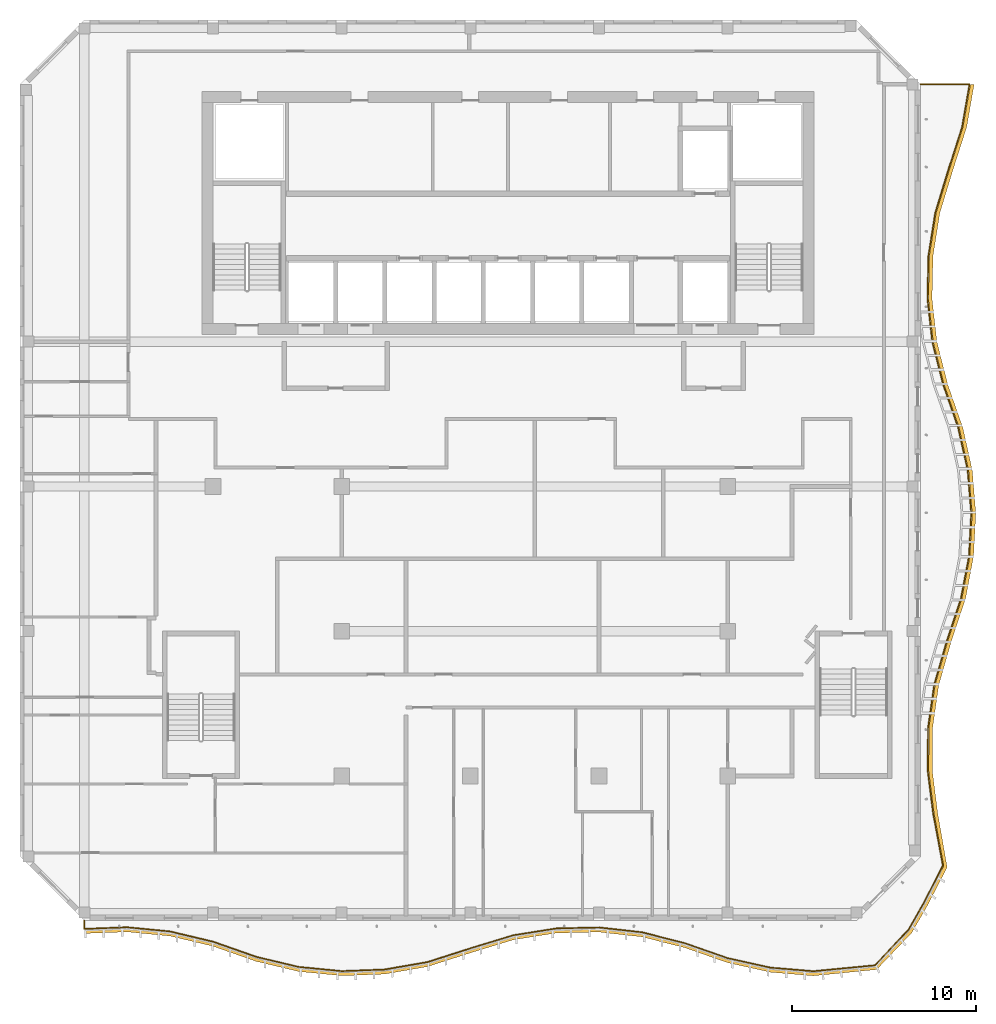
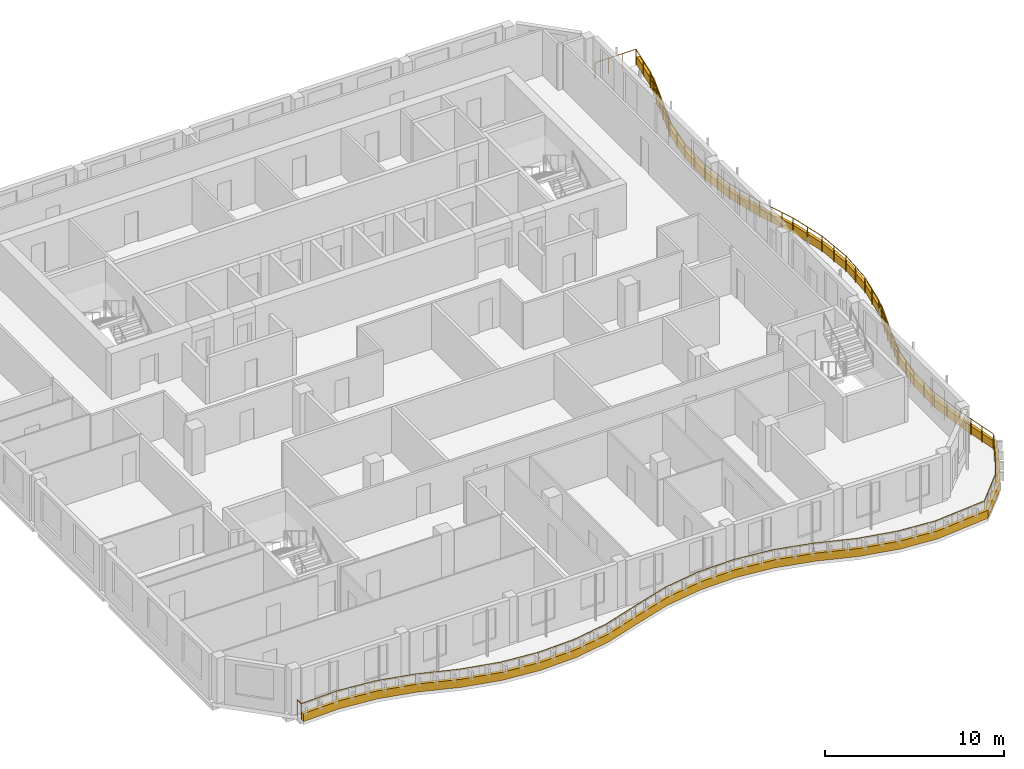
# One storey, part 14 of 18: 1 railing, 1 shading device.
"""IFC4 building model written with IfcOpenShell, lengths in metres."""

from ifc_helpers import new_model, si_unit, direction, frame, origin, origin_2d, place, context, subcontext, project, spatial, polyline, circle, outline, extrude, source, transform, mapped, material, layer, layer_set, type_object, element, save


model = new_model("IFC4")

# Units and contexts
model_context = context("Model", 3, precision=1e-05, world=origin(), true_north=direction((0.0, 1.0)))
body_context = subcontext(model_context, "Body", "Model", "MODEL_VIEW")
ifc_project = project(units=[si_unit("LENGTHUNIT", "METRE"), si_unit("AREAUNIT", "SQUARE_METRE"), si_unit("VOLUMEUNIT", "CUBIC_METRE"), si_unit("PLANEANGLEUNIT", "RADIAN"), si_unit("MASSUNIT", "GRAM", prefix="KILO")], contexts=[model_context])

# Site, building, storey
site_placement = place(None, origin())
site = spatial("IfcSite", under=ifc_project, at=site_placement, CompositionType="ELEMENT")
building_placement = place(site_placement, origin())
building = spatial("IfcBuilding", under=site, at=building_placement, Name="Kilnfold Tower and Market Hall", CompositionType="ELEMENT")
storey_placement = place(building_placement, frame((0.0, 0.0, 312.0)))
storey = spatial("IfcBuildingStorey", under=building, at=storey_placement, Name="L78", CompositionType="ELEMENT", Elevation=312.0)

# Railing
ifc_material_1 = material(Name="Stainless steel and laminated glass", Category="steel")
railing_type = type_object("IfcRailingType", Name="GUARD 1100", PredefinedType="GUARDRAIL", material=ifc_material_1)
railing_placement = place(storey_placement, frame((-22.0, -23.5, 0.0)))
element("IfcRailing", 1, at=railing_placement, inside=storey, type_object=railing_type, Name="Guard balcony L78", PredefinedType="GUARDRAIL", context=body_context, shape_type="SweptSolid", body=[
    extrude(circle(Radius=0.02490234375, at=origin_2d()), frame((0.0, 0.0, 1.0751953125), z_axis=(0.0, -1.0, 0.0), x_axis=(1.0, 0.0, 0.0)), (0.0, 0.0, 1.0), 0.44482421875),
    extrude(circle(Radius=0.02490234375, at=origin_2d()), frame((0.0, -0.44482421875, 1.0751953125), z_axis=(0.999303038081, 0.037328783572, 0.0), x_axis=(-0.037328783572, 0.999303038081, 0.0)), (0.0, 0.0, 1.0), 2.3349609375),
    extrude(circle(Radius=0.02490234375, at=origin_2d()), frame((2.333251953125, -0.357666015625, 1.0751953125), z_axis=(0.995289594459, -0.096946496384, 0.0), x_axis=(0.096946496384, 0.995289594459, 0.0)), (0.0, 0.0, 1.0), 2.344482421875),
    extrude(circle(Radius=0.02490234375, at=origin_2d()), frame((4.666748046875, -0.5849609375, 1.0751953125), z_axis=(0.972908793579, -0.231189271761, 0.0), x_axis=(0.231189271761, 0.972908793579, 0.0)), (0.0, 0.0, 1.0), 2.398193359375),
    extrude(circle(Radius=0.02490234375, at=origin_2d()), frame((7.0, -1.139404296875, 1.0751953125), z_axis=(0.943455967454, -0.331497869489, 0.0), x_axis=(0.331497869489, 0.943455967454, 0.0)), (0.0, 0.0, 1.0), 2.47314453125),
    extrude(circle(Radius=0.02490234375, at=origin_2d()), frame((9.333251953125, -1.959228515625, 1.0751953125), z_axis=(0.972845516139, -0.231455399006, 0.0), x_axis=(0.231455399006, 0.972845516139, 0.0)), (0.0, 0.0, 1.0), 2.398681640625),
    extrude(circle(Radius=0.02490234375, at=origin_2d()), frame((11.666748046875, -2.514404296875, 1.0751953125), z_axis=(0.995268495211, -0.097162865547, 0.0), x_axis=(0.097162865547, 0.995268495211, 0.0)), (0.0, 0.0, 1.0), 2.34423828125),
    extrude(circle(Radius=0.02490234375, at=origin_2d()), frame((14.0, -2.7421875, 1.0751953125), z_axis=(0.999310817255, 0.037119947695, 0.0), x_axis=(-0.037119947695, 0.999310817255, 0.0)), (0.0, 0.0, 1.0), 2.3349609375),
    extrude(circle(Radius=0.02490234375, at=origin_2d()), frame((16.333251953125, -2.655517578125, 1.0751953125), z_axis=(0.985233686596, 0.171215019192, 0.0), x_axis=(-0.171215019192, 0.985233686596, 0.0)), (0.0, 0.0, 1.0), 2.368408203125),
    extrude(circle(Radius=0.02490234375, at=origin_2d()), frame((18.666748046875, -2.25, 1.0751953125), z_axis=(0.95225740835, 0.305296295823, 0.0), x_axis=(-0.305296295823, 0.95225740835, 0.0)), (0.0, 0.0, 1.0), 2.4501953125),
    extrude(circle(Radius=0.02490234375, at=origin_2d()), frame((21.0, -1.501953125, 1.0751953125), z_axis=(0.956608396166, 0.29137669156, 0.0), x_axis=(-0.29137669156, 0.956608396166, 0.0)), (0.0, 0.0, 1.0), 2.439208984375),
    extrude(circle(Radius=0.02490234375, at=origin_2d()), frame((23.333251953125, -0.791259765625, 1.0751953125), z_axis=(0.987589778257, 0.157055499367, 0.0), x_axis=(-0.157055499367, 0.987589778257, 0.0)), (0.0, 0.0, 1.0), 2.36279296875),
    extrude(circle(Radius=0.02490234375, at=origin_2d()), frame((25.666748046875, -0.420166015625, 1.0751953125), z_axis=(0.999739941902, 0.022804573332, 0.0), x_axis=(-0.022804573332, 0.999739941902, 0.0)), (0.0, 0.0, 1.0), 2.333740234375),
    extrude(circle(Radius=0.02490234375, at=origin_2d()), frame((28.0, -0.366943359375, 1.0751953125), z_axis=(0.993767796015, -0.111470030065, 0.0), x_axis=(0.111470030065, 0.993767796015, 0.0)), (0.0, 0.0, 1.0), 2.347900390625),
    extrude(circle(Radius=0.02490234375, at=origin_2d()), frame((30.333251953125, -0.628662109375, 1.0751953125), z_axis=(0.969337830713, -0.245731906656, 0.0), x_axis=(0.245731906656, 0.969337830713, 0.0)), (0.0, 0.0, 1.0), 2.4072265625),
    extrude(circle(Radius=0.02490234375, at=origin_2d()), frame((32.666748046875, -1.22021484375, 1.0751953125), z_axis=(0.943979944569, -0.330002824611, 0.0), x_axis=(0.330002824611, 0.943979944569, 0.0)), (0.0, 0.0, 1.0), 2.4716796875),
    extrude(circle(Radius=0.02490234375, at=origin_2d()), frame((35.0, -2.035888671875, 1.0751953125), z_axis=(0.976182253207, -0.216952088083, 0.0), x_axis=(0.216952088083, 0.976182253207, 0.0)), (0.0, 0.0, 1.0), 2.39013671875),
    extrude(circle(Radius=0.02490234375, at=origin_2d()), frame((37.333251953125, -2.554443359375, 1.0751953125), z_axis=(0.996584479795, -0.082579504917, 0.0), x_axis=(0.082579504917, 0.996584479795, 0.0)), (0.0, 0.0, 1.0), 2.341552734375),
    extrude(circle(Radius=0.02490234375, at=origin_2d()), frame((39.666748046875, -2.747802734375, 1.0751953125), z_axis=(0.995422222904, 0.095575091676, 0.0), x_axis=(-0.095575091676, 0.995422222904, 0.0)), (0.0, 0.0, 1.0), 3.35400390625),
    extrude(circle(Radius=0.02490234375, at=origin_2d()), frame((43.00537109375, -2.42724609375, 1.0751953125), z_axis=(0.686126841928, 0.727481928838, 0.0), x_axis=(-0.727481928838, 0.686126841928, 0.0)), (0.0, 0.0, 1.0), 2.656494140625),
    extrude(circle(Radius=0.02490234375, at=origin_2d()), frame((44.828125, -0.49462890625, 1.0751953125), z_axis=(0.49818388275, 0.867071403616, 0.0), x_axis=(-0.867071403616, 0.49818388275, 0.0)), (0.0, 0.0, 1.0), 1.708740234375),
    extrude(circle(Radius=0.02490234375, at=origin_2d()), frame((45.679443359375, 0.987060546875, 1.0751953125), z_axis=(0.454844600621, 0.890570822162, 0.0), x_axis=(-0.890570822162, 0.454844600621, 0.0)), (0.0, 0.0, 1.0), 2.26025390625),
    extrude(circle(Radius=0.02490234375, at=origin_2d()), frame((46.70751953125, 3.0, 1.0751953125), z_axis=(-0.183966349119, 0.982932542137, 0.0), x_axis=(-0.982932542137, -0.183966349119, 0.0)), (0.0, 0.0, 1.0), 2.882568359375),
    extrude(circle(Radius=0.02490234375, at=origin_2d()), frame((46.17724609375, 5.833251953125, 1.0751953125), z_axis=(-0.126205998264, 0.992004055436, 0.0), x_axis=(-0.992004055436, -0.126205998264, 0.0)), (0.0, 0.0, 1.0), 2.352294921875),
    extrude(circle(Radius=0.02490234375, at=origin_2d()), frame((45.88037109375, 8.166748046875, 1.0751953125), z_axis=(0.007952034847, 0.999968382071, 0.0), x_axis=(-0.999968382071, 0.007952034847, 0.0)), (0.0, 0.0, 1.0), 2.333251953125),
    extrude(circle(Radius=0.02490234375, at=origin_2d()), frame((45.89892578125, 10.5, 1.0751953125), z_axis=(0.14230579139, 0.989822742584, 0.0), x_axis=(-0.989822742584, 0.14230579139, 0.0)), (0.0, 0.0, 1.0), 2.357177734375),
    extrude(circle(Radius=0.02490234375, at=origin_2d()), frame((46.234375, 12.833251953125, 1.0751953125), z_axis=(0.276592977758, 0.960987161545, 0.0), x_axis=(-0.960987161545, 0.276592977758, 0.0)), (0.0, 0.0, 1.0), 2.42822265625),
    extrude(circle(Radius=0.02490234375, at=origin_2d()), frame((46.906005859375, 15.166748046875, 1.0751953125), z_axis=(0.316614823647, 0.948554191097, 0.0), x_axis=(-0.948554191097, 0.316614823647, 0.0)), (0.0, 0.0, 1.0), 2.459716796875),
    extrude(circle(Radius=0.02490234375, at=origin_2d()), frame((47.684814453125, 17.5, 1.0751953125), z_axis=(0.186082127309, 0.982534193754, 0.0), x_axis=(-0.982534193754, 0.186082127309, 0.0)), (0.0, 0.0, 1.0), 2.374755859375),
    extrude(circle(Radius=0.02490234375, at=origin_2d()), frame((48.126708984375, 19.833251953125, 1.0751953125), z_axis=(0.051928171032, 0.998650822387, 0.0), x_axis=(-0.998650822387, 0.051928171032, 0.0)), (0.0, 0.0, 1.0), 2.336669921875),
    extrude(circle(Radius=0.02490234375, at=origin_2d()), frame((48.248046875, 22.166748046875, 1.0751953125), z_axis=(-0.082484518752, 0.99659234603, 0.0), x_axis=(-0.99659234603, -0.082484518752, 0.0)), (0.0, 0.0, 1.0), 2.34130859375),
    extrude(circle(Radius=0.02490234375, at=origin_2d()), frame((48.054931640625, 24.5, 1.0751953125), z_axis=(-0.216660052559, 0.976247110943, 0.0), x_axis=(-0.976247110943, -0.216660052559, 0.0)), (0.0, 0.0, 1.0), 2.39013671875),
    extrude(circle(Radius=0.02490234375, at=origin_2d()), frame((47.537109375, 26.833251953125, 1.0751953125), z_axis=(-0.329884042589, 0.944021460797, 0.0), x_axis=(-0.944021460797, -0.329884042589, 0.0)), (0.0, 0.0, 1.0), 2.471923828125),
    extrude(circle(Radius=0.02490234375, at=origin_2d()), frame((46.7216796875, 29.166748046875, 1.0751953125), z_axis=(-0.246041935802, 0.96925918403, 0.0), x_axis=(-0.96925918403, -0.246041935802, 0.0)), (0.0, 0.0, 1.0), 2.4072265625),
    extrude(circle(Radius=0.02490234375, at=origin_2d()), frame((46.12939453125, 31.5, 1.0751953125), z_axis=(-0.111675405291, 0.993744737774, 0.0), x_axis=(-0.993744737774, -0.111675405291, 0.0)), (0.0, 0.0, 1.0), 2.347900390625),
    extrude(circle(Radius=0.02490234375, at=origin_2d()), frame((45.8671875, 33.833251953125, 1.0751953125), z_axis=(0.022593101544, 0.999744743303, 0.0), x_axis=(-0.999744743303, 0.022593101544, 0.0)), (0.0, 0.0, 1.0), 2.333984375),
    extrude(circle(Radius=0.02490234375, at=origin_2d()), frame((45.919921875, 36.166748046875, 1.0751953125), z_axis=(0.15676914423, 0.98763527449, 0.0), x_axis=(-0.98763527449, 0.15676914423, 0.0)), (0.0, 0.0, 1.0), 2.362548828125),
    extrude(circle(Radius=0.02490234375, at=origin_2d()), frame((46.290283203125, 38.5, 1.0751953125), z_axis=(0.291101864674, 0.95669206351, 0.0), x_axis=(-0.95669206351, 0.291101864674, 0.0)), (0.0, 0.0, 1.0), 2.43896484375),
    extrude(circle(Radius=0.02490234375, at=origin_2d()), frame((47.000244140625, 40.833251953125, 1.0751953125), z_axis=(0.305448006527, 0.95220875616, 0.0), x_axis=(-0.95220875616, 0.305448006527, 0.0)), (0.0, 0.0, 1.0), 2.45068359375),
    extrude(circle(Radius=0.02490234375, at=origin_2d()), frame((47.748779296875, 43.166748046875, 1.0751953125), z_axis=(0.17163263585, 0.985161021514, 0.0), x_axis=(-0.985161021514, 0.17163263585, 0.0)), (0.0, 0.0, 1.0), 2.368408203125),
    extrude(circle(Radius=0.02490234375, at=origin_2d()), frame((48.1552734375, 45.5, 1.0751953125), z_axis=(-1.0, 0.0, 0.0), x_axis=(0.0, -1.0, 0.0)), (0.0, 0.0, 1.0), 2.6552734375),
    extrude(circle(Radius=0.02490234375, at=origin_2d()), origin(), (0.0, 0.0, 1.0), 1.050048828125),
    extrude(circle(Radius=0.02490234375, at=origin_2d()), frame((0.0, -0.44482421875, 0.0)), (0.0, 0.0, 1.0), 1.050048828125),
    extrude(circle(Radius=0.02490234375, at=origin_2d()), frame((1.16650390625, -0.4013671875, 0.0)), (0.0, 0.0, 1.0), 1.050048828125),
    extrude(circle(Radius=0.02490234375, at=origin_2d()), frame((2.333251953125, -0.357666015625, 0.0)), (0.0, 0.0, 1.0), 1.050048828125),
    extrude(circle(Radius=0.02490234375, at=origin_2d()), frame((3.5, -0.47119140625, 0.0)), (0.0, 0.0, 1.0), 1.050048828125),
    extrude(circle(Radius=0.02490234375, at=origin_2d()), frame((4.666748046875, -0.5849609375, 0.0)), (0.0, 0.0, 1.0), 1.050048828125),
    extrude(circle(Radius=0.02490234375, at=origin_2d()), frame((5.83349609375, -0.8623046875, 0.0)), (0.0, 0.0, 1.0), 1.050048828125),
    extrude(circle(Radius=0.02490234375, at=origin_2d()), frame((7.0, -1.139404296875, 0.0)), (0.0, 0.0, 1.0), 1.050048828125),
    extrude(circle(Radius=0.02490234375, at=origin_2d()), frame((7.77783203125, -1.41259765625, 0.0)), (0.0, 0.0, 1.0), 1.050048828125),
    extrude(circle(Radius=0.02490234375, at=origin_2d()), frame((8.555419921875, -1.68603515625, 0.0)), (0.0, 0.0, 1.0), 1.050048828125),
    extrude(circle(Radius=0.02490234375, at=origin_2d()), frame((9.333251953125, -1.959228515625, 0.0)), (0.0, 0.0, 1.0), 1.050048828125),
    extrude(circle(Radius=0.02490234375, at=origin_2d()), frame((10.5, -2.23681640625, 0.0)), (0.0, 0.0, 1.0), 1.050048828125),
    extrude(circle(Radius=0.02490234375, at=origin_2d()), frame((11.666748046875, -2.514404296875, 0.0)), (0.0, 0.0, 1.0), 1.050048828125),
    extrude(circle(Radius=0.02490234375, at=origin_2d()), frame((12.83349609375, -2.62841796875, 0.0)), (0.0, 0.0, 1.0), 1.050048828125),
    extrude(circle(Radius=0.02490234375, at=origin_2d()), frame((14.0, -2.7421875, 0.0)), (0.0, 0.0, 1.0), 1.050048828125),
    extrude(circle(Radius=0.02490234375, at=origin_2d()), frame((15.16650390625, -2.69873046875, 0.0)), (0.0, 0.0, 1.0), 1.050048828125),
    extrude(circle(Radius=0.02490234375, at=origin_2d()), frame((16.333251953125, -2.655517578125, 0.0)), (0.0, 0.0, 1.0), 1.050048828125),
    extrude(circle(Radius=0.02490234375, at=origin_2d()), frame((17.5, -2.45263671875, 0.0)), (0.0, 0.0, 1.0), 1.050048828125),
    extrude(circle(Radius=0.02490234375, at=origin_2d()), frame((18.666748046875, -2.25, 0.0)), (0.0, 0.0, 1.0), 1.050048828125),
    extrude(circle(Radius=0.02490234375, at=origin_2d()), frame((19.444580078125, -2.000732421875, 0.0)), (0.0, 0.0, 1.0), 1.050048828125),
    extrude(circle(Radius=0.02490234375, at=origin_2d()), frame((20.22216796875, -1.751220703125, 0.0)), (0.0, 0.0, 1.0), 1.050048828125),
    extrude(circle(Radius=0.02490234375, at=origin_2d()), frame((21.0, -1.501953125, 0.0)), (0.0, 0.0, 1.0), 1.050048828125),
    extrude(circle(Radius=0.02490234375, at=origin_2d()), frame((21.77783203125, -1.26513671875, 0.0)), (0.0, 0.0, 1.0), 1.050048828125),
    extrude(circle(Radius=0.02490234375, at=origin_2d()), frame((22.555419921875, -1.028076171875, 0.0)), (0.0, 0.0, 1.0), 1.050048828125),
    extrude(circle(Radius=0.02490234375, at=origin_2d()), frame((23.333251953125, -0.791259765625, 0.0)), (0.0, 0.0, 1.0), 1.050048828125),
    extrude(circle(Radius=0.02490234375, at=origin_2d()), frame((24.5, -0.605712890625, 0.0)), (0.0, 0.0, 1.0), 1.050048828125),
    extrude(circle(Radius=0.02490234375, at=origin_2d()), frame((25.666748046875, -0.420166015625, 0.0)), (0.0, 0.0, 1.0), 1.050048828125),
    extrude(circle(Radius=0.02490234375, at=origin_2d()), frame((26.83349609375, -0.3935546875, 0.0)), (0.0, 0.0, 1.0), 1.050048828125),
    extrude(circle(Radius=0.02490234375, at=origin_2d()), frame((28.0, -0.366943359375, 0.0)), (0.0, 0.0, 1.0), 1.050048828125),
    extrude(circle(Radius=0.02490234375, at=origin_2d()), frame((29.16650390625, -0.497802734375, 0.0)), (0.0, 0.0, 1.0), 1.050048828125),
    extrude(circle(Radius=0.02490234375, at=origin_2d()), frame((30.333251953125, -0.628662109375, 0.0)), (0.0, 0.0, 1.0), 1.050048828125),
    extrude(circle(Radius=0.02490234375, at=origin_2d()), frame((31.111083984375, -0.825927734375, 0.0)), (0.0, 0.0, 1.0), 1.050048828125),
    extrude(circle(Radius=0.02490234375, at=origin_2d()), frame((31.888916015625, -1.02294921875, 0.0)), (0.0, 0.0, 1.0), 1.050048828125),
    extrude(circle(Radius=0.02490234375, at=origin_2d()), frame((32.666748046875, -1.22021484375, 0.0)), (0.0, 0.0, 1.0), 1.050048828125),
    extrude(circle(Radius=0.02490234375, at=origin_2d()), frame((33.444580078125, -1.4921875, 0.0)), (0.0, 0.0, 1.0), 1.050048828125),
    extrude(circle(Radius=0.02490234375, at=origin_2d()), frame((34.22216796875, -1.763916015625, 0.0)), (0.0, 0.0, 1.0), 1.050048828125),
    extrude(circle(Radius=0.02490234375, at=origin_2d()), frame((35.0, -2.035888671875, 0.0)), (0.0, 0.0, 1.0), 1.050048828125),
    extrude(circle(Radius=0.02490234375, at=origin_2d()), frame((36.16650390625, -2.295166015625, 0.0)), (0.0, 0.0, 1.0), 1.050048828125),
    extrude(circle(Radius=0.02490234375, at=origin_2d()), frame((37.333251953125, -2.554443359375, 0.0)), (0.0, 0.0, 1.0), 1.050048828125),
    extrude(circle(Radius=0.02490234375, at=origin_2d()), frame((38.5, -2.651123046875, 0.0)), (0.0, 0.0, 1.0), 1.050048828125),
    extrude(circle(Radius=0.02490234375, at=origin_2d()), frame((39.666748046875, -2.747802734375, 0.0)), (0.0, 0.0, 1.0), 1.050048828125),
    extrude(circle(Radius=0.02490234375, at=origin_2d()), frame((40.779541015625, -2.640869140625, 0.0)), (0.0, 0.0, 1.0), 1.050048828125),
    extrude(circle(Radius=0.02490234375, at=origin_2d()), frame((41.892578125, -2.5341796875, 0.0)), (0.0, 0.0, 1.0), 1.050048828125),
    extrude(circle(Radius=0.02490234375, at=origin_2d()), frame((43.00537109375, -2.42724609375, 0.0)), (0.0, 0.0, 1.0), 1.050048828125),
    extrude(circle(Radius=0.02490234375, at=origin_2d()), frame((43.613037109375, -1.782958984375, 0.0)), (0.0, 0.0, 1.0), 1.050048828125),
    extrude(circle(Radius=0.02490234375, at=origin_2d()), frame((44.220458984375, -1.138916015625, 0.0)), (0.0, 0.0, 1.0), 1.050048828125),
    extrude(circle(Radius=0.02490234375, at=origin_2d()), frame((44.828125, -0.49462890625, 0.0)), (0.0, 0.0, 1.0), 1.050048828125),
    extrude(circle(Radius=0.02490234375, at=origin_2d()), frame((45.25390625, 0.24609375, 0.0)), (0.0, 0.0, 1.0), 1.050048828125),
    extrude(circle(Radius=0.02490234375, at=origin_2d()), frame((45.679443359375, 0.987060546875, 0.0)), (0.0, 0.0, 1.0), 1.050048828125),
    extrude(circle(Radius=0.02490234375, at=origin_2d()), frame((46.193359375, 1.99365234375, 0.0)), (0.0, 0.0, 1.0), 1.050048828125),
    extrude(circle(Radius=0.02490234375, at=origin_2d()), frame((46.70751953125, 3.0, 0.0)), (0.0, 0.0, 1.0), 1.050048828125),
    extrude(circle(Radius=0.02490234375, at=origin_2d()), frame((46.53076171875, 3.9443359375, 0.0)), (0.0, 0.0, 1.0), 1.050048828125),
    extrude(circle(Radius=0.02490234375, at=origin_2d()), frame((46.35400390625, 4.888916015625, 0.0)), (0.0, 0.0, 1.0), 1.050048828125),
    extrude(circle(Radius=0.02490234375, at=origin_2d()), frame((46.17724609375, 5.833251953125, 0.0)), (0.0, 0.0, 1.0), 1.050048828125),
    extrude(circle(Radius=0.02490234375, at=origin_2d()), frame((46.02880859375, 7.0, 0.0)), (0.0, 0.0, 1.0), 1.050048828125),
    extrude(circle(Radius=0.02490234375, at=origin_2d()), frame((45.88037109375, 8.166748046875, 0.0)), (0.0, 0.0, 1.0), 1.050048828125),
    extrude(circle(Radius=0.02490234375, at=origin_2d()), frame((45.8896484375, 9.33349609375, 0.0)), (0.0, 0.0, 1.0), 1.050048828125),
    extrude(circle(Radius=0.02490234375, at=origin_2d()), frame((45.89892578125, 10.5, 0.0)), (0.0, 0.0, 1.0), 1.050048828125),
    extrude(circle(Radius=0.02490234375, at=origin_2d()), frame((46.066650390625, 11.66650390625, 0.0)), (0.0, 0.0, 1.0), 1.050048828125),
    extrude(circle(Radius=0.02490234375, at=origin_2d()), frame((46.234375, 12.833251953125, 0.0)), (0.0, 0.0, 1.0), 1.050048828125),
    extrude(circle(Radius=0.02490234375, at=origin_2d()), frame((46.458251953125, 13.611083984375, 0.0)), (0.0, 0.0, 1.0), 1.050048828125),
    extrude(circle(Radius=0.02490234375, at=origin_2d()), frame((46.68212890625, 14.388916015625, 0.0)), (0.0, 0.0, 1.0), 1.050048828125),
    extrude(circle(Radius=0.02490234375, at=origin_2d()), frame((46.906005859375, 15.166748046875, 0.0)), (0.0, 0.0, 1.0), 1.050048828125),
    extrude(circle(Radius=0.02490234375, at=origin_2d()), frame((47.16552734375, 15.944580078125, 0.0)), (0.0, 0.0, 1.0), 1.050048828125),
    extrude(circle(Radius=0.02490234375, at=origin_2d()), frame((47.42529296875, 16.72216796875, 0.0)), (0.0, 0.0, 1.0), 1.050048828125),
    extrude(circle(Radius=0.02490234375, at=origin_2d()), frame((47.684814453125, 17.5, 0.0)), (0.0, 0.0, 1.0), 1.050048828125),
    extrude(circle(Radius=0.02490234375, at=origin_2d()), frame((47.90576171875, 18.66650390625, 0.0)), (0.0, 0.0, 1.0), 1.050048828125),
    extrude(circle(Radius=0.02490234375, at=origin_2d()), frame((48.126708984375, 19.833251953125, 0.0)), (0.0, 0.0, 1.0), 1.050048828125),
    extrude(circle(Radius=0.02490234375, at=origin_2d()), frame((48.1875, 21.0, 0.0)), (0.0, 0.0, 1.0), 1.050048828125),
    extrude(circle(Radius=0.02490234375, at=origin_2d()), frame((48.248046875, 22.166748046875, 0.0)), (0.0, 0.0, 1.0), 1.050048828125),
    extrude(circle(Radius=0.02490234375, at=origin_2d()), frame((48.1513671875, 23.33349609375, 0.0)), (0.0, 0.0, 1.0), 1.050048828125),
    extrude(circle(Radius=0.02490234375, at=origin_2d()), frame((48.054931640625, 24.5, 0.0)), (0.0, 0.0, 1.0), 1.050048828125),
    extrude(circle(Radius=0.02490234375, at=origin_2d()), frame((47.7958984375, 25.66650390625, 0.0)), (0.0, 0.0, 1.0), 1.050048828125),
    extrude(circle(Radius=0.02490234375, at=origin_2d()), frame((47.537109375, 26.833251953125, 0.0)), (0.0, 0.0, 1.0), 1.050048828125),
    extrude(circle(Radius=0.02490234375, at=origin_2d()), frame((47.265380859375, 27.611083984375, 0.0)), (0.0, 0.0, 1.0), 1.050048828125),
    extrude(circle(Radius=0.02490234375, at=origin_2d()), frame((46.993408203125, 28.388916015625, 0.0)), (0.0, 0.0, 1.0), 1.050048828125),
    extrude(circle(Radius=0.02490234375, at=origin_2d()), frame((46.7216796875, 29.166748046875, 0.0)), (0.0, 0.0, 1.0), 1.050048828125),
    extrude(circle(Radius=0.02490234375, at=origin_2d()), frame((46.524169921875, 29.944580078125, 0.0)), (0.0, 0.0, 1.0), 1.050048828125),
    extrude(circle(Radius=0.02490234375, at=origin_2d()), frame((46.326904296875, 30.72216796875, 0.0)), (0.0, 0.0, 1.0), 1.050048828125),
    extrude(circle(Radius=0.02490234375, at=origin_2d()), frame((46.12939453125, 31.5, 0.0)), (0.0, 0.0, 1.0), 1.050048828125),
    extrude(circle(Radius=0.02490234375, at=origin_2d()), frame((45.998291015625, 32.66650390625, 0.0)), (0.0, 0.0, 1.0), 1.050048828125),
    extrude(circle(Radius=0.02490234375, at=origin_2d()), frame((45.8671875, 33.833251953125, 0.0)), (0.0, 0.0, 1.0), 1.050048828125),
    extrude(circle(Radius=0.02490234375, at=origin_2d()), frame((45.8935546875, 35.0, 0.0)), (0.0, 0.0, 1.0), 1.050048828125),
    extrude(circle(Radius=0.02490234375, at=origin_2d()), frame((45.919921875, 36.166748046875, 0.0)), (0.0, 0.0, 1.0), 1.050048828125),
    extrude(circle(Radius=0.02490234375, at=origin_2d()), frame((46.10498046875, 37.33349609375, 0.0)), (0.0, 0.0, 1.0), 1.050048828125),
    extrude(circle(Radius=0.02490234375, at=origin_2d()), frame((46.290283203125, 38.5, 0.0)), (0.0, 0.0, 1.0), 1.050048828125),
    extrude(circle(Radius=0.02490234375, at=origin_2d()), frame((46.52685546875, 39.27783203125, 0.0)), (0.0, 0.0, 1.0), 1.050048828125),
    extrude(circle(Radius=0.02490234375, at=origin_2d()), frame((46.763671875, 40.055419921875, 0.0)), (0.0, 0.0, 1.0), 1.050048828125),
    extrude(circle(Radius=0.02490234375, at=origin_2d()), frame((47.000244140625, 40.833251953125, 0.0)), (0.0, 0.0, 1.0), 1.050048828125),
    extrude(circle(Radius=0.02490234375, at=origin_2d()), frame((47.249755859375, 41.611083984375, 0.0)), (0.0, 0.0, 1.0), 1.050048828125),
    extrude(circle(Radius=0.02490234375, at=origin_2d()), frame((47.499267578125, 42.388916015625, 0.0)), (0.0, 0.0, 1.0), 1.050048828125),
    extrude(circle(Radius=0.02490234375, at=origin_2d()), frame((47.748779296875, 43.166748046875, 0.0)), (0.0, 0.0, 1.0), 1.050048828125),
    extrude(circle(Radius=0.02490234375, at=origin_2d()), frame((47.9521484375, 44.33349609375, 0.0)), (0.0, 0.0, 1.0), 1.050048828125),
    extrude(circle(Radius=0.02490234375, at=origin_2d()), frame((48.1552734375, 45.5, 0.0)), (0.0, 0.0, 1.0), 1.050048828125),
    extrude(circle(Radius=0.02490234375, at=origin_2d()), frame((47.270263671875, 45.5, 0.0)), (0.0, 0.0, 1.0), 1.050048828125),
    extrude(circle(Radius=0.02490234375, at=origin_2d()), frame((46.385009765625, 45.5, 0.0)), (0.0, 0.0, 1.0), 1.050048828125),
    extrude(circle(Radius=0.02490234375, at=origin_2d()), frame((45.5, 45.5, 0.0)), (0.0, 0.0, 1.0), 1.050048828125),
])

# Shading device
ifc_material_2 = material(Name="Precast concrete C50/60", Category="concrete")
ifc_layer = layer(ifc_material_2, 0.550048828125)
ifc_layer_set = layer_set([ifc_layer], Name="Precast concrete C50/60")
shading_device_type = type_object("IfcShadingDeviceType", Name="BALCONY UPSTAND 550", PredefinedType="USERDEFINED", material=ifc_layer_set)
shared_shape = source(origin(), body_context, "Body", "SweptSolid", [
    extrude(outline(polyline([(-22.0, -24.19482421875), (-19.666748046875, -24.107666015625), (-17.333251953125, -24.3349609375), (-15.0, -24.889404296875), (-12.666748046875, -25.709228515625), (-10.333251953125, -26.264404296875), (-8.0, -26.4921875), (-5.666748046875, -26.405517578125), (-3.333251953125, -26.0), (-1.0, -25.251953125), (1.333251953125, -24.541259765625), (3.666748046875, -24.170166015625), (6.0, -24.116943359375), (8.333251953125, -24.378662109375), (10.666748046875, -24.97021484375), (13.0, -25.785888671875), (15.333251953125, -26.304443359375), (17.666748046875, -26.497802734375), (21.10107421875, -26.158203125), (23.0048828125, -24.17138671875), (23.856201171875, -22.689697265625), (24.9384765625, -20.595703125), (24.42724609375, -17.666748046875), (24.13037109375, -15.333251953125), (24.14892578125, -13.0), (24.484375, -10.666748046875), (25.156005859375, -8.333251953125), (25.934814453125, -6.0), (26.376708984375, -3.666748046875), (26.498046875, -1.333251953125), (26.304931640625, 1.0), (25.787109375, 3.333251953125), (24.9716796875, 5.666748046875), (24.37939453125, 8.0), (24.1171875, 10.333251953125), (24.169921875, 12.666748046875), (24.540283203125, 15.0), (25.250244140625, 17.333251953125), (25.998779296875, 19.666748046875), (26.4052734375, 22.0), (26.205078125, 22.0), (25.798828125, 19.666748046875), (25.05029296875, 17.333251953125), (24.34033203125, 15.0), (23.969970703125, 12.666748046875), (23.917236328125, 10.333251953125), (24.179443359375, 8.0), (24.771728515625, 5.666748046875), (25.587158203125, 3.333251953125), (26.10498046875, 1.0), (26.298095703125, -1.333251953125), (26.1767578125, -3.666748046875), (25.73486328125, -6.0), (24.955810546875, -8.333251953125), (24.284423828125, -10.666748046875), (23.948974609375, -13.0), (23.930419921875, -15.333251953125), (24.227294921875, -17.666748046875), (24.753662109375, -20.519287109375), (23.71484375, -22.54833984375), (22.863525390625, -24.030029296875), (21.024658203125, -25.973388671875), (17.666748046875, -26.2978515625), (15.333251953125, -26.1044921875), (13.0, -25.5859375), (10.666748046875, -24.770263671875), (8.333251953125, -24.1787109375), (6.0, -23.9169921875), (3.666748046875, -23.97021484375), (1.333251953125, -24.34130859375), (-1.0, -25.052001953125), (-3.333251953125, -25.7998046875), (-5.666748046875, -26.20556640625), (-8.0, -26.292236328125), (-10.333251953125, -26.064208984375), (-12.666748046875, -25.50927734375), (-15.0, -24.689453125), (-17.333251953125, -24.135009765625), (-19.666748046875, -23.90771484375), (-22.0, -23.994873046875), (-22.0, -24.19482421875)])), origin(), (0.0, 0.0, 1.0), 0.550048828125),
])
shading_device_placement = place(storey_placement, origin())
element("IfcShadingDevice", 2, at=shading_device_placement, inside=storey, type_object=shading_device_type, Name="Balcony fascia L78", ObjectType="FASCIA", PredefinedType="USERDEFINED", context=body_context, shape_type="MappedRepresentation", body=[
    mapped(shared_shape, transform((0.0, 0.0, 0.0))),
])

save(model, "model.ifc")
